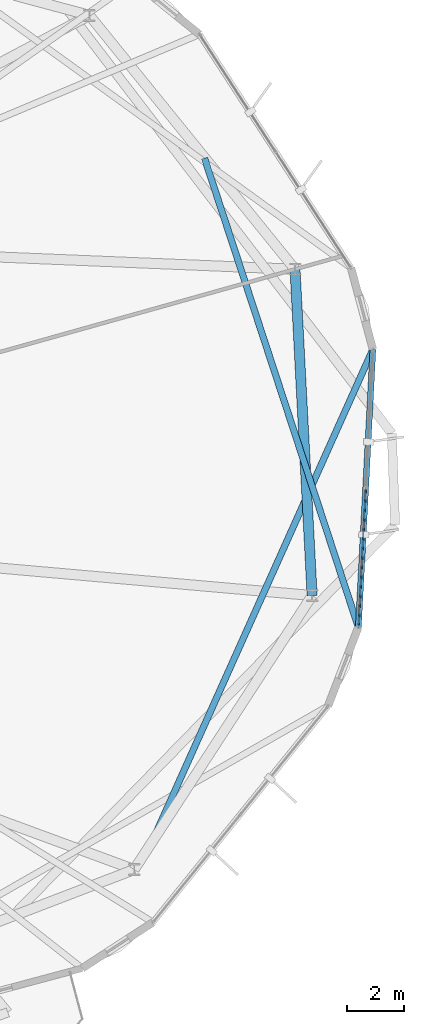
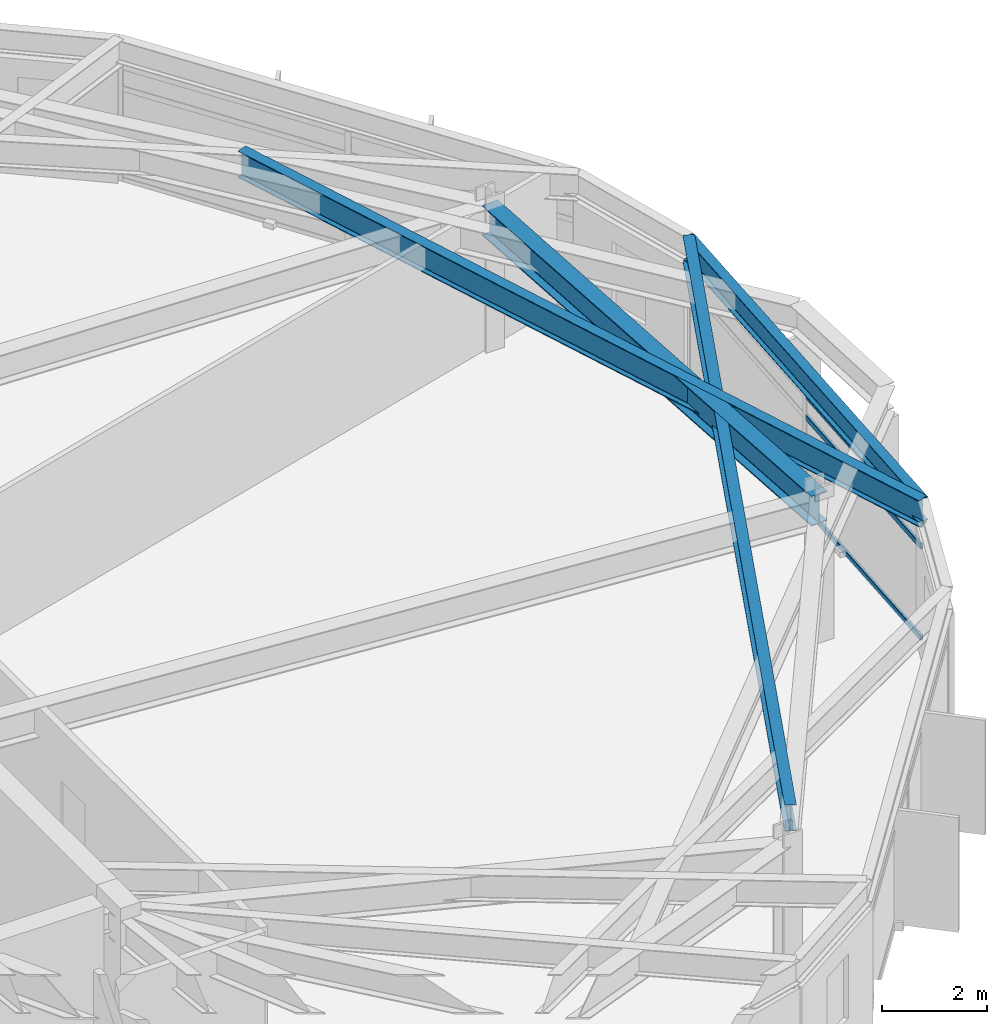
# One storey, part 13 of 29: 4 beams, 3 members, 1 element without a shape of its own.
"""IFC4 building model written with IfcOpenShell, lengths in metres."""

from ifc_helpers import new_model, si_unit, direction, frame, origin, origin_2d, place, context, subcontext, project, spatial, hollow_rectangle, i_section, extrude, material, layer, layer_set, material_profile, profile_set, type_object, element, aggregate, save


model = new_model("IFC4")

# Units and contexts
model_context = context("Model", 3, precision=1e-05, world=origin(), true_north=direction((0.0, 1.0)))
body_context = subcontext(model_context, "Body", "Model", "MODEL_VIEW")
ifc_project = project(units=[si_unit("LENGTHUNIT", "METRE"), si_unit("AREAUNIT", "SQUARE_METRE"), si_unit("VOLUMEUNIT", "CUBIC_METRE"), si_unit("PLANEANGLEUNIT", "RADIAN"), si_unit("MASSUNIT", "GRAM", prefix="KILO")], contexts=[model_context])

# Site, building, storey
site_placement = place(None, origin())
site = spatial("IfcSite", under=ifc_project, at=site_placement, CompositionType="ELEMENT")
building_placement = place(site_placement, origin())
building = spatial("IfcBuilding", under=site, at=building_placement, Name="Soratama Intermodal Tower", CompositionType="ELEMENT")
storey_placement = place(building_placement, frame((0.0, 0.0, 219.39990234375)))
storey = spatial("IfcBuildingStorey", under=building, at=storey_placement, Name="L55", CompositionType="ELEMENT", Elevation=219.39990234375)

# Beams
ifc_material_1 = material(Name="Structural steel ASTM A992 Grade 50", Category="steel")
ifc_material_profile_1 = material_profile(ifc_material_1, i_section(OverallWidth=0.35498046875, OverallDepth=0.695068359375, WebThickness=0.015380859375, FlangeThickness=0.02490234375, FilletRadius=0.01611328125, at=origin_2d()), Name="W27X146")
ifc_profile_set_1 = profile_set([ifc_material_profile_1], Name="Structural steel ASTM A992 Grade 50")
beam_type_1 = type_object("IfcBeamType", Name="BM-RING-W27X146", PredefinedType="BEAM", material=ifc_profile_set_1)
beam_1_placement = place(storey_placement, frame((62.966064453125, 20.18603515625, 2.95263671875), z_axis=(-0.052286849724, 0.998632107108, 0.0), x_axis=(-0.998632107108, -0.052286849724, 0.0)))
element("IfcBeam", 1, at=beam_1_placement, inside=storey, type_object=beam_type_1, Name="BM-L55-RING-10", PredefinedType="BEAM", context=body_context, shape_type="SweptSolid", body=[
    extrude(i_section(OverallWidth=0.35498046875, OverallDepth=0.695068359375, WebThickness=0.015380859375, FlangeThickness=0.02490234375, FilletRadius=0.01611328125, at=origin_2d()), origin(), (0.0, 0.0, 1.0), 11.49560546875),
])
ifc_material_2 = material(Name="Structural steel ASTM A992 Grade 50", Category="steel")
ifc_material_profile_2 = material_profile(ifc_material_2, i_section(OverallWidth=0.2099609375, OverallDepth=0.537109375, WebThickness=0.010986328125, FlangeThickness=0.017333984375, FilletRadius=0.012939453125, at=origin_2d()), Name="W21X68")
ifc_profile_set_2 = profile_set([ifc_material_profile_2], Name="Structural steel ASTM A992 Grade 50")
beam_type_2 = type_object("IfcBeamType", Name="BM-SPN-W21X68", PredefinedType="SPANDREL", material=ifc_profile_set_2)
beam_2_placement = place(storey_placement, frame((64.593994140625, 19.068115234375, 3.031494140625), z_axis=(0.05225539566, 0.998633753497, 0.0), x_axis=(-0.998633753497, 0.05225539566, 0.0)))
element("IfcBeam", 2, at=beam_2_placement, inside=storey, type_object=beam_type_2, Name="BS-L55-F09", PredefinedType="SPANDREL", context=body_context, shape_type="SweptSolid", body=[
    extrude(i_section(OverallWidth=0.2099609375, OverallDepth=0.537109375, WebThickness=0.010986328125, FlangeThickness=0.017333984375, FilletRadius=0.012939453125, at=origin_2d()), origin(), (0.0, 0.0, 1.0), 9.79736328125),
])
ifc_material_3 = material(Name="Structural steel ASTM A992 Grade 50", Category="steel")
ifc_material_profile_3 = material_profile(ifc_material_3, i_section(OverallWidth=0.22900390625, OverallDepth=0.612060546875, WebThickness=0.011962890625, FlangeThickness=0.01953125, FilletRadius=0.012939453125, at=origin_2d()), Name="W24X84")
ifc_profile_set_3 = profile_set([ifc_material_profile_3], Name="Structural steel ASTM A992 Grade 50")
beam_type_3 = type_object("IfcBeamType", Name="BM-TIE-W24X84", PredefinedType="BEAM", material=ifc_profile_set_3)
beam_3_placement = place(storey_placement, frame((59.179931640625, 35.574951171875, 2.994140625), z_axis=(0.311653847965, -0.950195705657, 0.0), x_axis=(0.950195705657, 0.311653847965, 0.0)))
element("IfcBeam", 3, at=beam_3_placement, inside=storey, type_object=beam_type_3, Name="BM-L55-TIE0-09", PredefinedType="BEAM", context=body_context, shape_type="SweptSolid", body=[
    extrude(i_section(OverallWidth=0.22900390625, OverallDepth=0.612060546875, WebThickness=0.011962890625, FlangeThickness=0.01953125, FilletRadius=0.012939453125, at=origin_2d()), origin(), (0.0, 0.0, 1.0), 17.3720703125),
])
beam_4_placement = place(storey_placement, frame((57.337890625, 11.531005859375, 2.994140625), z_axis=(0.409207669623, 0.912441276533, 0.0), x_axis=(-0.912441276533, 0.409207669623, 0.0)))
element("IfcBeam", 4, at=beam_4_placement, inside=storey, type_object=beam_type_3, Name="BM-L55-TIE1-09", PredefinedType="BEAM", context=body_context, shape_type="SweptSolid", body=[
    extrude(i_section(OverallWidth=0.22900390625, OverallDepth=0.612060546875, WebThickness=0.011962890625, FlangeThickness=0.01953125, FilletRadius=0.012939453125, at=origin_2d()), origin(), (0.0, 0.0, 1.0), 18.983154296875),
])

# Curtain wall, members
ifc_material_4 = material(Name="Double-glazed aluminium curtain wall", Category="aluminium")
ifc_layer = layer(ifc_material_4, 0.159912109375)
ifc_layer_set = layer_set([ifc_layer], Name="Double-glazed aluminium curtain wall")
curtain_wall_type = type_object("IfcCurtainWallType", Name="CW-SYS-5", PredefinedType="NOTDEFINED", material=ifc_layer_set)
curtain_wall_placement = place(storey_placement, origin())
curtain_wall = element("IfcCurtainWall", 5, at=curtain_wall_placement, inside=storey, type_object=curtain_wall_type, Name="L55 Faceted Curtain Wall F09", PredefinedType="NOTDEFINED")
ifc_material_5 = material(Name="Anodised aluminium AA 6063-T6", Category="aluminium")
ifc_material_profile_4 = material_profile(ifc_material_5, hollow_rectangle(XDim=0.06005859375, YDim=0.1298828125, WallThickness=0.0048828125, InnerFilletRadius=0.0048828125, OuterFilletRadius=0.010009765625, at=origin_2d()), Name="CWT130X60X5")
ifc_profile_set_4 = profile_set([ifc_material_profile_4], Name="Anodised aluminium AA 6063-T6")
member_type = type_object("IfcMemberType", Name="TT-CWT-2", PredefinedType="USERDEFINED", material=ifc_profile_set_4)
member_1_placement = place(storey_placement, frame((64.5966796875, 19.12744140625, 0.030029296875), z_axis=(0.052342992888, 0.998629165955, 0.0), x_axis=(-0.998629165955, 0.052342992888, 0.0)))
member_1 = element("IfcMember", 6, at=member_1_placement, type_object=member_type, Name="CW-5 transom 1.1", ObjectType="TRANSOM", PredefinedType="USERDEFINED", context=body_context, shape_type="SweptSolid", body=[
    extrude(hollow_rectangle(XDim=0.06005859375, YDim=0.1298828125, WallThickness=0.0048828125, InnerFilletRadius=0.0048828125, OuterFilletRadius=0.010009765625, at=origin_2d()), origin(), (0.0, 0.0, 1.0), 4.808837890625),
])
member_2_placement = place(storey_placement, frame((64.5966796875, 19.12744140625, 2.150146484375), z_axis=(0.052342992888, 0.998629165955, 0.0), x_axis=(-0.998629165955, 0.052342992888, 0.0)))
member_2 = element("IfcMember", 7, at=member_2_placement, type_object=member_type, Name="CW-5 transom 1.2", ObjectType="TRANSOM", PredefinedType="USERDEFINED", context=body_context, shape_type="SweptSolid", body=[
    extrude(hollow_rectangle(XDim=0.06005859375, YDim=0.1298828125, WallThickness=0.0048828125, InnerFilletRadius=0.0048828125, OuterFilletRadius=0.010009765625, at=origin_2d()), origin(), (0.0, 0.0, 1.0), 4.808837890625),
])
member_3_placement = place(storey_placement, frame((64.5966796875, 19.12744140625, 2.649169921875), z_axis=(0.052342992888, 0.998629165955, 0.0), x_axis=(-0.998629165955, 0.052342992888, 0.0)))
member_3 = element("IfcMember", 8, at=member_3_placement, type_object=member_type, Name="CW-5 transom 1.3", ObjectType="TRANSOM", PredefinedType="USERDEFINED", context=body_context, shape_type="SweptSolid", body=[
    extrude(hollow_rectangle(XDim=0.06005859375, YDim=0.1298828125, WallThickness=0.0048828125, InnerFilletRadius=0.0048828125, OuterFilletRadius=0.010009765625, at=origin_2d()), origin(), (0.0, 0.0, 1.0), 4.808837890625),
])
aggregate(curtain_wall, [member_1, member_2, member_3])

save(model, "model.ifc")
